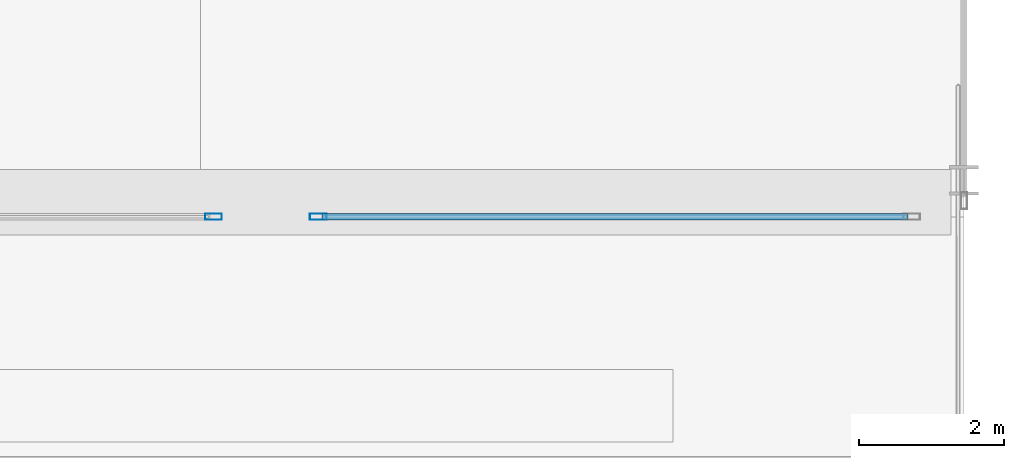
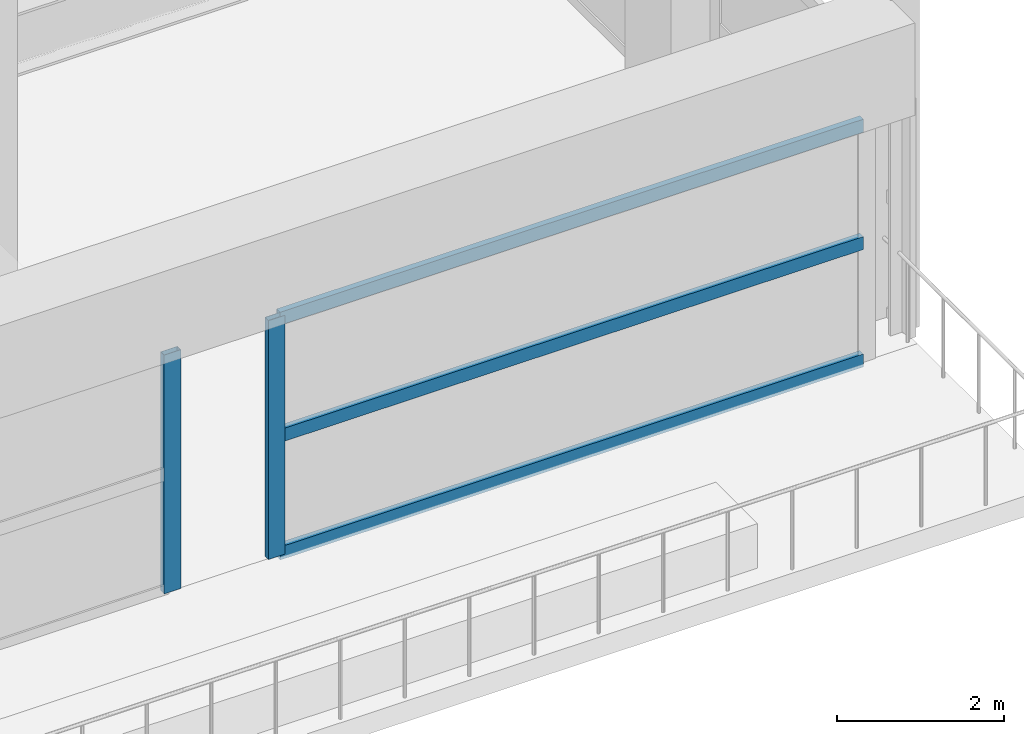
# One storey, part 25 of 43: 5 members, 2 elements without a shape of their own.
"""IFC4 building model written with IfcOpenShell, lengths in metres."""

import ifcopenshell
import ifcopenshell.guid

model = None  # the IFC model being written
_history = None  # IfcOwnerHistory: only IFC2X3 demands one
_inside = {}  # id of a spatial element -> (the spatial element, [elements in it])
_under = {}  # id of a project, library or spatial element -> (it, [spatial elements below it])
_declared = {}  # id of a project -> (the project, [libraries it declares])
_typed = {}  # id of a type object -> (the type object, [elements of that type])
_made_of = {}  # id of a material, layer set ... -> (it, [elements and type objects made of it])


def new_model(schema):
    """Start an empty IFC model of exactly this schema.

    Asked for "IFC4X3", IfcOpenShell would pick the latest addendum, in which some entities
    have other attributes; the version numbers below select the first issue.
    IFC2X3 requires an IfcOwnerHistory on every rooted entity: one is made here for all.
    """
    global model, _history
    if schema == "IFC4X3":
        model = ifcopenshell.file(schema_version=(4, 3, 0, 0))
    else:
        model = ifcopenshell.file(schema=schema)
    _inside.clear()
    _under.clear()
    _declared.clear()
    _typed.clear()
    _made_of.clear()
    _history = None
    if model.schema == "IFC2X3":
        org = make("IfcOrganization", Name="unknown")
        user = make(
            "IfcPersonAndOrganization",
            ThePerson=make("IfcPerson", FamilyName="unknown"),
            TheOrganization=org,
        )
        app = make(
            "IfcApplication",
            ApplicationDeveloper=org,
            Version="unknown",
            ApplicationFullName="unknown",
            ApplicationIdentifier="unknown",
        )
        _history = make(
            "IfcOwnerHistory",
            OwningUser=user,
            OwningApplication=app,
            ChangeAction="ADDED",
            CreationDate=0,
        )
    return model


def make(cls, **values):
    """One entity of the class cls with the attributes given. An attribute that is None is left unset."""
    return model.create_entity(
        cls, **{name: value for name, value in values.items() if value is not None}
    )


def rooted(cls, **values):
    """An entity with a GlobalId (a new one), such as an element, a storey or a relation."""
    return make(cls, GlobalId=ifcopenshell.guid.new(), OwnerHistory=_history, **values)


def si_unit(unit_type, name, prefix=None):
    """IfcSIUnit, for example si_unit("LENGTHUNIT", "METRE", prefix="MILLI")."""
    return make("IfcSIUnit", UnitType=unit_type, Prefix=prefix, Name=name)


def assignment(units):
    """IfcUnitAssignment: the units of a project."""
    return None if units is None else make("IfcUnitAssignment", Units=units)


def point(xyz):
    """IfcCartesianPoint."""
    return None if xyz is None else make("IfcCartesianPoint", Coordinates=xyz)


def direction(xyz):
    """IfcDirection."""
    return None if xyz is None else make("IfcDirection", DirectionRatios=xyz)


def frame(location, z_axis=None, x_axis=None):
    """IfcAxis2Placement3D, a coordinate frame: its origin and axes. An axis left out is left unset."""
    return make(
        "IfcAxis2Placement3D",
        Location=point(location),
        Axis=direction(z_axis),
        RefDirection=direction(x_axis),
    )


def frame_2d(location, x_axis=None):
    """IfcAxis2Placement2D, a coordinate frame in the plane: its origin and x axis."""
    return make(
        "IfcAxis2Placement2D", Location=point(location), RefDirection=direction(x_axis)
    )


def origin():
    """The frame at (0, 0, 0) with its axes left unset."""
    return frame((0.0, 0.0, 0.0))


def origin_2d():
    """The frame at (0, 0) in the plane with its x axis left unset."""
    return frame_2d((0.0, 0.0))


def place(relative_to, where):
    """IfcLocalPlacement: puts the frame where relative to a parent placement (None: the world)."""
    return make(
        "IfcLocalPlacement", PlacementRelTo=relative_to, RelativePlacement=where
    )


def context(
    kind, dimensions, precision=None, world=None, true_north=None, identifier=None
):
    """IfcGeometricRepresentationContext, for example the 3D "Model" context."""
    return make(
        "IfcGeometricRepresentationContext",
        ContextIdentifier=identifier,
        ContextType=kind,
        CoordinateSpaceDimension=dimensions,
        Precision=precision,
        WorldCoordinateSystem=world,
        TrueNorth=true_north,
    )


def subcontext(parent, identifier, kind, view, scale=None):
    """IfcGeometricRepresentationSubContext, for example "Body" below "Model"."""
    return make(
        "IfcGeometricRepresentationSubContext",
        ContextIdentifier=identifier,
        ContextType=kind,
        ParentContext=parent,
        TargetScale=scale,
        TargetView=view,
    )


def project(units=None, contexts=None):
    """IfcProject with its units and contexts."""
    return rooted(
        "IfcProject",
        Name="project",
        RepresentationContexts=contexts,
        UnitsInContext=assignment(units),
    )


def spatial(cls, under=None, at=None, **own):
    """A site, building, storey or space (cls), placed at a placement, below another one or the project."""
    s = rooted(cls, ObjectPlacement=at, **own)
    if under is not None:
        _under.setdefault(under.id(), (under, []))[1].append(s)
    return s


def profile(cls, at=None, kind="AREA", **sizes):
    """A parametric profile (cls). Its sizes go by their IFC names, for example OverallWidth=200.0."""
    return make(cls, ProfileType=kind, Position=at, **sizes)


def hollow_rectangle(**sizes):
    """IfcRectangleHollowProfileDef."""
    return profile("IfcRectangleHollowProfileDef", **sizes)


def extrude(swept, where, along, depth):
    """IfcExtrudedAreaSolid: the profile swept, set in the frame where, extruded along a direction by depth."""
    return make(
        "IfcExtrudedAreaSolid",
        SweptArea=swept,
        Position=where,
        ExtrudedDirection=direction(along),
        Depth=depth,
    )


def shape(context_of_items, identifier, shape_type, items):
    """IfcShapeRepresentation: the items that make up one representation, for example the "Body"."""
    return make(
        "IfcShapeRepresentation",
        ContextOfItems=context_of_items,
        RepresentationIdentifier=identifier,
        RepresentationType=shape_type,
        Items=items,
    )


def material(Name=None, Category=None):
    """IfcMaterial."""
    return make("IfcMaterial", Name=Name, Category=Category)


def material_profile(
    of_material, cross_section, Name=None, Category=None, Priority=None
):
    """IfcMaterialProfile: a cross section and its material."""
    return make(
        "IfcMaterialProfile",
        Name=Name,
        Material=of_material,
        Profile=cross_section,
        Priority=Priority,
        Category=Category,
    )


def profile_set(profiles, Name=None, composite=None):
    """IfcMaterialProfileSet."""
    return make(
        "IfcMaterialProfileSet",
        Name=Name,
        MaterialProfiles=profiles,
        CompositeProfile=composite,
    )


def made_of(thing, what):
    """Note that an element or type object is made of a material, layer set ...; save() writes the relation."""
    if what is not None:
        _made_of.setdefault(what.id(), (what, []))[1].append(thing)
    return thing


def type_object(cls, material=None, **own):
    """A type object (cls), such as IfcWallType, which elements share."""
    return made_of(rooted(cls, **own), material)


def element(
    cls,
    number,
    at=None,
    inside=None,
    cuts=None,
    type_object=None,
    material=None,
    context=None,
    identifier="Body",
    shape_type=None,
    held_by="IfcProductDefinitionShape",
    body=None,
    shapes=None,
    **own,
):
    """One element of the class cls, such as IfcWall. Its Tag is "e" and its number.

    at: its placement. inside: the storey or other place that contains it. cuts: it is an
    opening in that element (IfcRelVoidsElement). A single representation is given by context,
    identifier, shape_type and body (its items); several are given by shapes. held_by: the class
    of the entity that holds the representations. save() writes the other relations.
    """
    e = rooted(cls, Tag="e%d" % number, ObjectPlacement=at, **own)
    if body is not None:
        shapes = [shape(context, identifier, shape_type, body)]
    if shapes is not None:
        e.Representation = make(held_by, Representations=shapes)
    if inside is not None:
        _inside.setdefault(inside.id(), (inside, []))[1].append(e)
    if cuts is not None:
        rooted(
            "IfcRelVoidsElement", RelatingBuildingElement=cuts, RelatedOpeningElement=e
        )
    if type_object is not None:
        _typed.setdefault(type_object.id(), (type_object, []))[1].append(e)
    return made_of(e, material)


def aggregate(whole, parts):
    """IfcRelAggregates: a whole, such as a stair, and the parts it consists of."""
    return rooted("IfcRelAggregates", RelatingObject=whole, RelatedObjects=parts)


def save(model, path):
    """Write the relations noted so far, then the file.

    IfcRelAggregates (storeys below a building ...), IfcRelContainedInSpatialStructure (elements
    in a storey), IfcRelDefinesByType, IfcRelAssociatesMaterial and IfcRelDeclares: one each for
    every whole, place, type object, material and project.
    """
    for whole, parts in _under.values():
        aggregate(whole, parts)
    for where, things in _inside.values():
        rooted(
            "IfcRelContainedInSpatialStructure",
            RelatedElements=things,
            RelatingStructure=where,
        )
    for kind, things in _typed.values():
        rooted("IfcRelDefinesByType", RelatedObjects=things, RelatingType=kind)
    for what, things in _made_of.values():
        rooted("IfcRelAssociatesMaterial", RelatedObjects=things, RelatingMaterial=what)
    for by, libraries in _declared.values():
        rooted("IfcRelDeclares", RelatingContext=by, RelatedDefinitions=libraries)
    model.write(path)


model = new_model("IFC4")

# Units and contexts
model_context = context("Model", 3, precision=1e-05, world=origin(), true_north=direction((0.0, 1.0)))
body_context = subcontext(model_context, "Body", "Model", "MODEL_VIEW")
ifc_project = project(units=[si_unit("LENGTHUNIT", "METRE"), si_unit("AREAUNIT", "SQUARE_METRE"), si_unit("VOLUMEUNIT", "CUBIC_METRE"), si_unit("PLANEANGLEUNIT", "RADIAN"), si_unit("MASSUNIT", "GRAM", prefix="KILO")], contexts=[model_context])

# Site, building, storey
site_placement = place(None, origin())
site = spatial("IfcSite", under=ifc_project, at=site_placement, CompositionType="ELEMENT")
building_placement = place(site_placement, origin())
building = spatial("IfcBuilding", under=site, at=building_placement, Name="Kovane Verandah Tower", CompositionType="ELEMENT")
storey_placement = place(building_placement, frame((0.0, 0.0, 11.199951171875)))
storey = spatial("IfcBuildingStorey", under=building, at=storey_placement, Name="L02", CompositionType="ELEMENT", Elevation=11.199951171875)

# Curtain wall, member
ifc_material_1 = material(Name="Champagne Anodised Aluminium Frame with Low-E Clear Laminated Glass", Category="aluminium")
curtain_wall_type = type_object("IfcCurtainWallType", Name="CW-SYS-01-POD", PredefinedType="NOTDEFINED", material=ifc_material_1)
curtain_wall_1_placement = place(storey_placement, origin())
curtain_wall_1 = element("IfcCurtainWall", 1, at=curtain_wall_1_placement, inside=storey, type_object=curtain_wall_type, Name="L02 South Podium Curtain Wall Bay 6.1", PredefinedType="NOTDEFINED")
ifc_material_2 = material(Name="Champagne Anodised Aluminium 6063-T6", Category="aluminium")
ifc_material_profile_1 = material_profile(ifc_material_2, hollow_rectangle(XDim=0.0849609375, YDim=0.22998046875, WallThickness=0.00390625, at=origin_2d()), Name="AL85x230x4")
ifc_profile_set_1 = profile_set([ifc_material_profile_1], Name="Champagne Anodised Aluminium 6063-T6")
member_type_1 = type_object("IfcMemberType", Name="CW-MUL-85x230", PredefinedType="MULLION", material=ifc_profile_set_1)
member_1_placement = place(storey_placement, frame((71.679931640625, 5.300048828125, 0.02001953125), z_axis=(0.0, 0.0, 1.0), x_axis=(0.0, -1.0, 0.0)))
member_1 = element("IfcMember", 2, at=member_1_placement, type_object=member_type_1, Name="L02 South Podium Curtain Wall Bay 6.1 Mullion 3", PredefinedType="MULLION", context=body_context, shape_type="SweptSolid", body=[
    extrude(hollow_rectangle(XDim=0.0849609375, YDim=0.22998046875, WallThickness=0.00390625, at=origin_2d()), origin(), (0.0, 0.0, 1.0), 3.489990234375),
])
aggregate(curtain_wall_1, [member_1])

# Curtain wall, members
curtain_wall_2_placement = place(storey_placement, origin())
curtain_wall_2 = element("IfcCurtainWall", 3, at=curtain_wall_2_placement, inside=storey, type_object=curtain_wall_type, Name="L02 South Podium Curtain Wall Bay 7.1", PredefinedType="NOTDEFINED")
member_2_placement = place(storey_placement, frame((73.1201171875, 5.300048828125, 0.02001953125), z_axis=(0.0, 0.0, 1.0), x_axis=(0.0, -1.0, 0.0)))
member_2 = element("IfcMember", 4, at=member_2_placement, type_object=member_type_1, Name="L02 South Podium Curtain Wall Bay 7.1 Mullion 1", PredefinedType="MULLION", context=body_context, shape_type="SweptSolid", body=[
    extrude(hollow_rectangle(XDim=0.0849609375, YDim=0.22998046875, WallThickness=0.00390625, at=origin_2d()), origin(), (0.0, 0.0, 1.0), 3.489990234375),
])
ifc_material_profile_2 = material_profile(ifc_material_2, hollow_rectangle(XDim=0.0849609375, YDim=0.18994140625, WallThickness=0.00390625, at=origin_2d()), Name="AL85x190x4")
ifc_profile_set_2 = profile_set([ifc_material_profile_2], Name="Champagne Anodised Aluminium 6063-T6")
member_type_2 = type_object("IfcMemberType", Name="CW-TRN-85x190", PredefinedType="USERDEFINED", material=ifc_profile_set_2)
member_3_placement = place(storey_placement, frame((73.169921875, 5.300048828125, 0.050048828125), z_axis=(1.0, 0.0, 0.0), x_axis=(0.0, 1.0, 0.0)))
member_3 = element("IfcMember", 5, at=member_3_placement, type_object=member_type_2, Name="L02 South Podium Curtain Wall Bay 7.1 Transom TB Bay 1", ObjectType="TRANSOM", PredefinedType="USERDEFINED", context=body_context, shape_type="SweptSolid", body=[
    extrude(hollow_rectangle(XDim=0.0849609375, YDim=0.18994140625, WallThickness=0.00390625, at=origin_2d()), origin(), (0.0, 0.0, 1.0), 8.06005859375),
])
member_4_placement = place(storey_placement, frame((73.169921875, 5.300048828125, 1.76513671875), z_axis=(1.0, 0.0, 0.0), x_axis=(0.0, 1.0, 0.0)))
member_4 = element("IfcMember", 6, at=member_4_placement, type_object=member_type_2, Name="L02 South Podium Curtain Wall Bay 7.1 Transom TM Bay 1", ObjectType="TRANSOM", PredefinedType="USERDEFINED", context=body_context, shape_type="SweptSolid", body=[
    extrude(hollow_rectangle(XDim=0.0849609375, YDim=0.18994140625, WallThickness=0.00390625, at=origin_2d()), origin(), (0.0, 0.0, 1.0), 8.06005859375),
])
member_5_placement = place(storey_placement, frame((73.169921875, 5.300048828125, 3.47998046875), z_axis=(1.0, 0.0, 0.0), x_axis=(0.0, 1.0, 0.0)))
member_5 = element("IfcMember", 7, at=member_5_placement, type_object=member_type_2, Name="L02 South Podium Curtain Wall Bay 7.1 Transom TT Bay 1", ObjectType="TRANSOM", PredefinedType="USERDEFINED", context=body_context, shape_type="SweptSolid", body=[
    extrude(hollow_rectangle(XDim=0.0849609375, YDim=0.18994140625, WallThickness=0.00390625, at=origin_2d()), origin(), (0.0, 0.0, 1.0), 8.06005859375),
])
aggregate(curtain_wall_2, [member_2, member_3, member_4, member_5])

save(model, "model.ifc")
